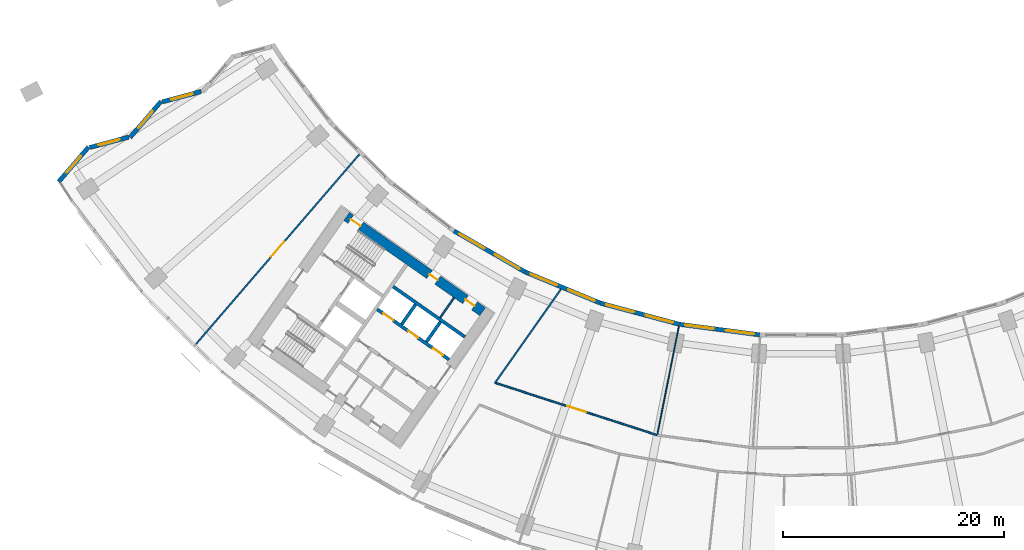
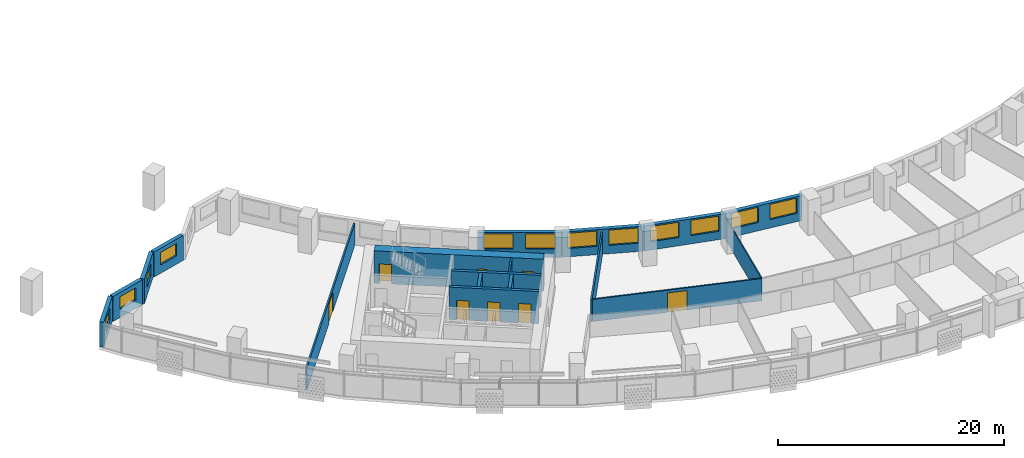
# One storey, part 4 of 31: 18 walls, 12 windows, 8 doors, 20 openings.
"""IFC4 building model written with IfcOpenShell, lengths in metres."""

from ifc_helpers import new_model, si_unit, direction, frame, frame_2d, origin, place, context, subcontext, project, spatial, rectangle, extrude, material, layer, layer_set, type_object, element, fill, save


model = new_model("IFC4")

# Units and contexts
model_context = context("Model", 3, precision=1e-05, world=origin(), true_north=direction((0.0, 1.0)))
body_context = subcontext(model_context, "Body", "Model", "MODEL_VIEW")
ifc_project = project(units=[si_unit("LENGTHUNIT", "METRE"), si_unit("AREAUNIT", "SQUARE_METRE"), si_unit("VOLUMEUNIT", "CUBIC_METRE"), si_unit("PLANEANGLEUNIT", "RADIAN"), si_unit("MASSUNIT", "GRAM", prefix="KILO")], contexts=[model_context])

# Site, building, storey
site_placement = place(None, origin())
site = spatial("IfcSite", under=ifc_project, at=site_placement, CompositionType="ELEMENT")
building_placement = place(site_placement, origin())
building = spatial("IfcBuilding", under=site, at=building_placement, Name="Qamariyya Broadcast Tower", CompositionType="ELEMENT")
storey_placement = place(building_placement, frame((0.0, 0.0, 51.89990234375)))
storey = spatial("IfcBuildingStorey", under=building, at=storey_placement, Name="L09", CompositionType="ELEMENT", Elevation=51.89990234375)

# Wall, openings, doors
ifc_material_1 = material(Name="Concrete C70/85", Category="concrete")
ifc_layer_1 = layer(ifc_material_1, 0.89990234375)
ifc_layer_set_1 = layer_set([ifc_layer_1], Name="Core wall 900 mm Concrete C70/85")
wall_type_1 = type_object("IfcWallType", Name="Core wall 900 mm Concrete C70/85", PredefinedType="SHEAR", material=ifc_layer_set_1)
wall_1_placement = place(storey_placement, frame((-28.8544921875, -54.32421875, 0.0), z_axis=(0.0, 0.0, 1.0), x_axis=(-0.819145767589, 0.573585400304, 0.0)))
wall_1 = element("IfcWall", 1, at=wall_1_placement, inside=storey, type_object=wall_type_1, Name="k-W-L09-WI", PredefinedType="SHEAR", context=body_context, shape_type="SweptSolid", body=[
    extrude(rectangle(XDim=15.04541015625, YDim=0.89990234375, at=frame_2d((7.522705078125, 0.0))), origin(), (0.0, 0.0, 1.0), 3.5),
])
opening_1_placement = place(wall_1_placement, frame((0.89990234375, 0.0, 0.0)))
opening_1 = element("IfcOpeningElement", 2, at=opening_1_placement, cuts=wall_1, Name="Opening KD7-W1", PredefinedType="OPENING", context=body_context, shape_type="SweptSolid", body=[
    extrude(rectangle(XDim=1.0, YDim=2.10009765625, at=frame_2d((0.5, 1.050048828125))), frame((0.0, 0.4599609375, 0.0), z_axis=(0.0, -1.0, 0.0), x_axis=(1.0, 0.0, 0.0)), (0.0, 0.0, 1.0), 0.919921875),
])
opening_2_placement = place(wall_1_placement, frame((4.97509765625, 0.0, 0.0)))
opening_2 = element("IfcOpeningElement", 3, at=opening_2_placement, cuts=wall_1, Name="Opening KD5-W1", PredefinedType="OPENING", context=body_context, shape_type="SweptSolid", body=[
    extrude(rectangle(XDim=0.89990234375, YDim=2.10009765625, at=frame_2d((0.449951171875, 1.050048828125))), frame((0.0, 0.4599609375, 0.0), z_axis=(0.0, -1.0, 0.0), x_axis=(1.0, 0.0, 0.0)), (0.0, 0.0, 1.0), 0.919921875),
])
opening_3_placement = place(wall_1_placement, frame((13.495361328125, 0.0, 0.0)))
opening_3 = element("IfcOpeningElement", 4, at=opening_3_placement, cuts=wall_1, Name="Opening KD1-W1", PredefinedType="OPENING", context=body_context, shape_type="SweptSolid", body=[
    extrude(rectangle(XDim=1.10009765625, YDim=2.10009765625, at=frame_2d((0.550048828125, 1.050048828125))), frame((0.0, 0.4599609375, 0.0), z_axis=(0.0, -1.0, 0.0), x_axis=(1.0, 0.0, 0.0)), (0.0, 0.0, 1.0), 0.919921875),
])
ifc_material_2 = material(Name="Steel fire-resisting door leaf", Category="steel")
door_type_1 = type_object("IfcDoorType", Name="Accessible toilet door KD7", OperationType="SINGLE_SWING_LEFT", PredefinedType="DOOR", material=ifc_material_2)
door_1_placement = place(opening_1_placement, origin())
door_1 = element("IfcDoor", 5, at=door_1_placement, inside=storey, type_object=door_type_1, Name="k-W-L09-WI-D8", OperationType="SINGLE_SWING_LEFT", OverallHeight=2.10009765625, OverallWidth=1.0, PredefinedType="DOOR", context=body_context, shape_type="SweptSolid", body=[
    extrude(rectangle(XDim=1.0, YDim=2.10009765625, at=frame_2d((0.5, 1.050048828125))), frame((0.0, 0.02490234375, 0.0), z_axis=(0.0, -1.0, 0.0), x_axis=(1.0, 0.0, 0.0)), (0.0, 0.0, 1.0), 0.050048828125),
])
fill(opening_1, door_1)
door_type_2 = type_object("IfcDoorType", Name="Stair door KD1", OperationType="SINGLE_SWING_LEFT", PredefinedType="DOOR", material=ifc_material_2)
door_2_placement = place(opening_3_placement, origin())
door_2 = element("IfcDoor", 6, at=door_2_placement, inside=storey, type_object=door_type_2, Name="k-W-L09-WI-D16", OperationType="SINGLE_SWING_RIGHT", OverallHeight=2.10009765625, OverallWidth=1.10009765625, PredefinedType="DOOR", context=body_context, shape_type="SweptSolid", body=[
    extrude(rectangle(XDim=1.10009765625, YDim=2.10009765625, at=frame_2d((0.550048828125, 1.050048828125))), frame((0.0, 0.02490234375, 0.0), z_axis=(0.0, -1.0, 0.0), x_axis=(1.0, 0.0, 0.0)), (0.0, 0.0, 1.0), 0.050048828125),
])
fill(opening_3, door_2)
door_type_3 = type_object("IfcDoorType", Name="Toilet door KD5", OperationType="SINGLE_SWING_LEFT", PredefinedType="DOOR", material=ifc_material_2)
door_3_placement = place(opening_2_placement, origin())
door_3 = element("IfcDoor", 7, at=door_3_placement, inside=storey, type_object=door_type_3, Name="k-W-L09-WI-D9", OperationType="SINGLE_SWING_RIGHT", OverallHeight=2.10009765625, OverallWidth=0.89990234375, PredefinedType="DOOR", context=body_context, shape_type="SweptSolid", body=[
    extrude(rectangle(XDim=0.89990234375, YDim=2.10009765625, at=frame_2d((0.449951171875, 1.050048828125))), frame((0.0, 0.02490234375, 0.0), z_axis=(0.0, -1.0, 0.0), x_axis=(1.0, 0.0, 0.0)), (0.0, 0.0, 1.0), 0.050048828125),
])
fill(opening_2, door_3)

# Wall, opening, door
ifc_material_3 = material(Name="Gypsum board partition")
ifc_layer_2 = layer(ifc_material_3, 0.14990234375)
ifc_layer_set_2 = layer_set([ifc_layer_2], Name="Corridor partition 150 EI 60")
wall_type_2 = type_object("IfcWallType", Name="Corridor partition 150 EI 60", PredefinedType="PARTITIONING", material=ifc_layer_set_2)
wall_2_placement = place(storey_placement, frame((-54.842041015625, -57.27685546875, 0.0), z_axis=(0.0, 0.0, 1.0), x_axis=(0.652471531746, 0.757813235739, 0.0)))
wall_2 = element("IfcWall", 8, at=wall_2_placement, inside=storey, type_object=wall_type_2, Name="Partition L09-001", PredefinedType="PARTITIONING", context=body_context, shape_type="SweptSolid", body=[
    extrude(rectangle(XDim=22.71484375, YDim=0.14990234375, at=frame_2d((11.357421875, 0.0))), origin(), (0.0, 0.0, 1.0), 2.400146484375),
])
opening_4_placement = place(wall_2_placement, frame((10.45751953125, 0.0, 0.0)))
opening_4 = element("IfcOpeningElement", 9, at=opening_4_placement, cuts=wall_2, Name="Opening L09-D13", PredefinedType="OPENING", context=body_context, shape_type="SweptSolid", body=[
    extrude(rectangle(XDim=1.800048828125, YDim=2.10009765625, at=frame_2d((0.89990234375, 1.050048828125))), frame((0.0, 0.0849609375, 0.0), z_axis=(0.0, -1.0, 0.0), x_axis=(1.0, 0.0, 0.0)), (0.0, 0.0, 1.0), 0.169921875),
])
ifc_material_4 = material(Name="Timber fire door leaf", Category="wood")
door_type_4 = type_object("IfcDoorType", Name="Double fire door 1800 x 2100 FD60", OperationType="NOTDEFINED", PredefinedType="DOOR", material=ifc_material_4)
door_4_placement = place(opening_4_placement, origin())
door_4 = element("IfcDoor", 10, at=door_4_placement, inside=storey, type_object=door_type_4, Name="Door L09-D13", OperationType="DOUBLE_DOOR_SINGLE_SWING", OverallHeight=2.10009765625, OverallWidth=1.800048828125, PredefinedType="DOOR", context=body_context, shape_type="SweptSolid", body=[
    extrude(rectangle(XDim=1.800048828125, YDim=2.10009765625, at=frame_2d((0.89990234375, 1.050048828125))), frame((0.0, 0.02490234375, 0.0), z_axis=(0.0, -1.0, 0.0), x_axis=(1.0, 0.0, 0.0)), (0.0, 0.0, 1.0), 0.050048828125),
])
fill(opening_4, door_4)

wall_3_placement = place(storey_placement, frame((-27.655517578125, -60.796875, 0.0), z_axis=(0.0, 0.0, 1.0), x_axis=(0.951666530015, -0.307133221338, 0.0)))
wall_3 = element("IfcWall", 11, at=wall_3_placement, inside=storey, type_object=wall_type_2, Name="Partition L09-004", PredefinedType="PARTITIONING", context=body_context, shape_type="SweptSolid", body=[
    extrude(rectangle(XDim=15.3662109375, YDim=0.14990234375, at=frame_2d((7.68310546875, 0.0))), origin(), (0.0, 0.0, 1.0), 2.400146484375),
])
opening_5_placement = place(wall_3_placement, frame((6.782958984375, 0.0, 0.0)))
opening_5 = element("IfcOpeningElement", 12, at=opening_5_placement, cuts=wall_3, Name="Opening L09-D07", PredefinedType="OPENING", context=body_context, shape_type="SweptSolid", body=[
    extrude(rectangle(XDim=1.800048828125, YDim=2.10009765625, at=frame_2d((0.89990234375, 1.050048828125))), frame((0.0, 0.0849609375, 0.0), z_axis=(0.0, -1.0, 0.0), x_axis=(1.0, 0.0, 0.0)), (0.0, 0.0, 1.0), 0.169921875),
])
door_5_placement = place(opening_5_placement, origin())
door_5 = element("IfcDoor", 13, at=door_5_placement, inside=storey, type_object=door_type_4, Name="Door L09-D07", OperationType="DOUBLE_DOOR_SINGLE_SWING", OverallHeight=2.10009765625, OverallWidth=1.800048828125, PredefinedType="DOOR", context=body_context, shape_type="SweptSolid", body=[
    extrude(rectangle(XDim=1.800048828125, YDim=2.10009765625, at=frame_2d((0.89990234375, 1.050048828125))), frame((0.0, 0.02490234375, 0.0), z_axis=(0.0, -1.0, 0.0), x_axis=(1.0, 0.0, 0.0)), (0.0, 0.0, 1.0), 0.050048828125),
])
fill(opening_5, door_5)

# Walls
wall_4_placement = place(storey_placement, frame((-21.748291015625, -52.2763671875, 0.0), z_axis=(0.0, 0.0, 1.0), x_axis=(-0.575419434668, -0.817858468322, 0.0)))
element("IfcWall", 14, at=wall_4_placement, inside=storey, type_object=wall_type_2, Name="Partition L09-007", PredefinedType="PARTITIONING", context=body_context, shape_type="SweptSolid", body=[
    extrude(rectangle(XDim=10.46484375, YDim=0.14990234375, at=frame_2d((5.232421875, 0.0))), origin(), (0.0, 0.0, 1.0), 2.400146484375),
])
ifc_material_5 = material(Name="Gypsum board partition on steel studs", Category="steel")
ifc_layer_3 = layer(ifc_material_5, 0.14990234375)
ifc_layer_set_3 = layer_set([ifc_layer_3], Name="Gypsum board partition 150 mm")
wall_type_3 = type_object("IfcWallType", Name="Gypsum board partition 150 mm", PredefinedType="PARTITIONING", material=ifc_layer_set_3)
wall_5_placement = place(storey_placement, frame((-32.709228515625, -54.860107421875, 0.0), z_axis=(0.0, 0.0, 1.0), x_axis=(0.573633636671, 0.819111989218, 0.0)))
element("IfcWall", 15, at=wall_5_placement, inside=storey, type_object=wall_type_3, Name="k-W-L09-NP285", PredefinedType="PARTITIONING", context=body_context, shape_type="SweptSolid", body=[
    extrude(rectangle(XDim=2.199951171875, YDim=0.14990234375, at=frame_2d((1.10009765625, 0.0))), origin(), (0.0, 0.0, 1.0), 3.5),
])

# Wall, openings, doors
ifc_material_6 = material(Name="Concrete C60/75", Category="concrete")
ifc_layer_4 = layer(ifc_material_6, 0.300048828125)
ifc_layer_set_4 = layer_set([ifc_layer_4], Name="Lift shaft wall 300 mm Concrete C60/75")
wall_type_4 = type_object("IfcWallType", Name="Lift shaft wall 300 mm Concrete C60/75", PredefinedType="SOLIDWALL", material=ifc_layer_set_4)
wall_6_placement = place(storey_placement, frame((-31.89453125, -58.66552734375, 0.0), z_axis=(0.0, 0.0, 1.0), x_axis=(-0.819166993208, 0.573555086491, 0.0)))
wall_6 = element("IfcWall", 16, at=wall_6_placement, inside=storey, type_object=wall_type_4, Name="k-W-L09-NF0", PredefinedType="SOLIDWALL", context=body_context, shape_type="SweptSolid", body=[
    extrude(rectangle(XDim=7.9501953125, YDim=0.300048828125, at=frame_2d((3.97509765625, 0.0))), origin(), (0.0, 0.0, 1.0), 3.5),
])
opening_6_placement = place(wall_6_placement, frame((0.675048828125, 0.0, 0.0)))
opening_6 = element("IfcOpeningElement", 17, at=opening_6_placement, cuts=wall_6, Name="Opening LD", PredefinedType="OPENING", context=body_context, shape_type="SweptSolid", body=[
    extrude(rectangle(XDim=1.10009765625, YDim=2.10009765625, at=frame_2d((0.550048828125, 1.050048828125))), frame((0.0, 0.159912109375, 0.0), z_axis=(0.0, -1.0, 0.0), x_axis=(1.0, 0.0, 0.0)), (0.0, 0.0, 1.0), 0.320068359375),
])
opening_7_placement = place(wall_6_placement, frame((3.425048828125, 0.0, 0.0)))
opening_7 = element("IfcOpeningElement", 18, at=opening_7_placement, cuts=wall_6, Name="Opening LD", PredefinedType="OPENING", context=body_context, shape_type="SweptSolid", body=[
    extrude(rectangle(XDim=1.10009765625, YDim=2.10009765625, at=frame_2d((0.550048828125, 1.050048828125))), frame((0.0, 0.159912109375, 0.0), z_axis=(0.0, -1.0, 0.0), x_axis=(1.0, 0.0, 0.0)), (0.0, 0.0, 1.0), 0.320068359375),
])
opening_8_placement = place(wall_6_placement, frame((6.175048828125, 0.0, 0.0)))
opening_8 = element("IfcOpeningElement", 19, at=opening_8_placement, cuts=wall_6, Name="Opening LD", PredefinedType="OPENING", context=body_context, shape_type="SweptSolid", body=[
    extrude(rectangle(XDim=1.10009765625, YDim=2.10009765625, at=frame_2d((0.550048828125, 1.050048828125))), frame((0.0, 0.159912109375, 0.0), z_axis=(0.0, -1.0, 0.0), x_axis=(1.0, 0.0, 0.0)), (0.0, 0.0, 1.0), 0.320068359375),
])
door_type_5 = type_object("IfcDoorType", Name="Lift landing door LD", OperationType="DOUBLE_DOOR_SLIDING", PredefinedType="DOOR", material=ifc_material_2)
door_6_placement = place(opening_6_placement, origin())
door_6 = element("IfcDoor", 20, at=door_6_placement, inside=storey, type_object=door_type_5, Name="k-W-L09-NF0-D2", OperationType="DOUBLE_DOOR_SLIDING", OverallHeight=2.10009765625, OverallWidth=1.10009765625, PredefinedType="DOOR", context=body_context, shape_type="SweptSolid", body=[
    extrude(rectangle(XDim=1.10009765625, YDim=2.10009765625, at=frame_2d((0.550048828125, 1.050048828125))), frame((0.0, 0.02490234375, 0.0), z_axis=(0.0, -1.0, 0.0), x_axis=(1.0, 0.0, 0.0)), (0.0, 0.0, 1.0), 0.050048828125),
])
fill(opening_6, door_6)
door_7_placement = place(opening_7_placement, origin())
door_7 = element("IfcDoor", 21, at=door_7_placement, inside=storey, type_object=door_type_5, Name="k-W-L09-NF0-D3", OperationType="DOUBLE_DOOR_SLIDING", OverallHeight=2.10009765625, OverallWidth=1.10009765625, PredefinedType="DOOR", context=body_context, shape_type="SweptSolid", body=[
    extrude(rectangle(XDim=1.10009765625, YDim=2.10009765625, at=frame_2d((0.550048828125, 1.050048828125))), frame((0.0, 0.02490234375, 0.0), z_axis=(0.0, -1.0, 0.0), x_axis=(1.0, 0.0, 0.0)), (0.0, 0.0, 1.0), 0.050048828125),
])
fill(opening_7, door_7)
door_8_placement = place(opening_8_placement, origin())
door_8 = element("IfcDoor", 22, at=door_8_placement, inside=storey, type_object=door_type_5, Name="k-W-L09-NF0-D4", OperationType="DOUBLE_DOOR_SLIDING", OverallHeight=2.10009765625, OverallWidth=1.10009765625, PredefinedType="DOOR", context=body_context, shape_type="SweptSolid", body=[
    extrude(rectangle(XDim=1.10009765625, YDim=2.10009765625, at=frame_2d((0.550048828125, 1.050048828125))), frame((0.0, 0.02490234375, 0.0), z_axis=(0.0, -1.0, 0.0), x_axis=(1.0, 0.0, 0.0)), (0.0, 0.0, 1.0), 0.050048828125),
])
fill(opening_8, door_8)

# Walls
wall_7_placement = place(storey_placement, frame((-30.460693359375, -56.61767578125, 0.0), z_axis=(0.0, 0.0, 1.0), x_axis=(-0.819142461705, 0.573590121456, 0.0)))
element("IfcWall", 23, at=wall_7_placement, inside=storey, type_object=wall_type_4, Name="k-W-L09-NB0", PredefinedType="SOLIDWALL", context=body_context, shape_type="SweptSolid", body=[
    extrude(rectangle(XDim=7.949951171875, YDim=0.300048828125, at=frame_2d((3.97509765625, 0.0))), origin(), (0.0, 0.0, 1.0), 3.5),
])
wall_8_placement = place(storey_placement, frame((-33.9384765625, -57.051513671875, 0.0), z_axis=(0.0, 0.0, 1.0), x_axis=(0.573581496053, 0.819148501424, 0.0)))
element("IfcWall", 24, at=wall_8_placement, inside=storey, type_object=wall_type_4, Name="k-W-L09-ND0", PredefinedType="SOLIDWALL", context=body_context, shape_type="SweptSolid", body=[
    extrude(rectangle(XDim=2.2001953125, YDim=0.300048828125, at=frame_2d((1.10009765625, 0.0))), origin(), (0.0, 0.0, 1.0), 3.5),
])
wall_9_placement = place(storey_placement, frame((-36.19091796875, -55.47412109375, 0.0), z_axis=(0.0, 0.0, 1.0), x_axis=(0.573507030513, 0.819200638399, 0.0)))
element("IfcWall", 25, at=wall_9_placement, inside=storey, type_object=wall_type_4, Name="k-W-L09-ND1", PredefinedType="SOLIDWALL", context=body_context, shape_type="SweptSolid", body=[
    extrude(rectangle(XDim=2.199951171875, YDim=0.300048828125, at=frame_2d((1.10009765625, 0.0))), origin(), (0.0, 0.0, 1.0), 3.5),
])
ifc_layer_5 = layer(ifc_material_3, 0.10009765625)
ifc_layer_set_5 = layer_set([ifc_layer_5], Name="Partition 100")
wall_type_5 = type_object("IfcWallType", Name="Partition 100", PredefinedType="PARTITIONING", material=ifc_layer_set_5)
wall_10_placement = place(storey_placement, frame((-11.0712890625, -55.65966796875, 0.0), z_axis=(0.0, 0.0, 1.0), x_axis=(-0.195094645032, -0.980784420492, 0.0)))
element("IfcWall", 26, at=wall_10_placement, inside=storey, type_object=wall_type_5, Name="Partition L09-011", PredefinedType="PARTITIONING", context=body_context, shape_type="SweptSolid", body=[
    extrude(rectangle(XDim=9.974853515625, YDim=0.10009765625, at=frame_2d((4.9873046875, 0.0))), origin(), (0.0, 0.0, 1.0), 2.400146484375),
])

# Wall, opening, window
ifc_material_7 = material(Name="Terracotta", Category="masonry")
ifc_layer_6 = layer(ifc_material_7, 0.39990234375)
ifc_layer_set_6 = layer_set([ifc_layer_6], Name="Terracotta clad wall 400")
wall_type_6 = type_object("IfcWallType", Name="Terracotta clad wall 400", PredefinedType="SOLIDWALL", material=ifc_layer_set_6)
wall_11_placement = place(storey_placement, frame((-54.357666015625, -34.368408203125, 0.0), z_axis=(0.0, 0.0, 1.0), x_axis=(-0.966123763906, -0.258079198727, 0.0)))
wall_11 = element("IfcWall", 27, at=wall_11_placement, inside=storey, type_object=wall_type_6, Name="e-wl-L09-capW2", PredefinedType="SOLIDWALL", context=body_context, shape_type="SweptSolid", body=[
    extrude(rectangle(XDim=3.647705078125, YDim=0.39990234375, at=frame_2d((1.82373046875, 0.0))), origin(), (0.0, 0.0, 1.0), 2.7001953125),
])
opening_9_placement = place(wall_11_placement, frame((0.82373046875, 0.0, 0.89990234375)))
opening_9 = element("IfcOpeningElement", 28, at=opening_9_placement, cuts=wall_11, Name="Opening W4", PredefinedType="OPENING", context=body_context, shape_type="SweptSolid", body=[
    extrude(rectangle(XDim=2.0, YDim=1.35009765625, at=frame_2d((1.0, 0.675048828125))), frame((0.0, 0.2099609375, 0.0), z_axis=(0.0, -1.0, 0.0), x_axis=(1.0, 0.0, 0.0)), (0.0, 0.0, 1.0), 0.419921875),
])
ifc_material_8 = material(Name="Clear low-e double glazed unit in aluminium frame", Category="aluminium")
window_type_1 = type_object("IfcWindowType", Name="Horn bay window 2000 x 1350", PartitioningType="SINGLE_PANEL", PredefinedType="WINDOW", material=ifc_material_8)
window_1_placement = place(opening_9_placement, origin())
window_1 = element("IfcWindow", 29, at=window_1_placement, inside=storey, type_object=window_type_1, Name="e-w-L09-capW2", OverallHeight=1.35009765625, OverallWidth=2.0, PartitioningType="SINGLE_PANEL", PredefinedType="WINDOW", context=body_context, shape_type="SweptSolid", body=[
    extrude(rectangle(XDim=2.0, YDim=1.35009765625, at=frame_2d((1.0, 0.675048828125))), frame((0.0, 0.030029296875, 0.0), z_axis=(0.0, -1.0, 0.0), x_axis=(1.0, 0.0, 0.0)), (0.0, 0.0, 1.0), 0.06005859375),
])
fill(opening_9, window_1)

wall_12_placement = place(storey_placement, frame((-58.00634765625, -35.27880859375, 0.0), z_axis=(0.0, 0.0, 1.0), x_axis=(-0.652138603414, -0.758099757246, 0.0)))
wall_12 = element("IfcWall", 30, at=wall_12_placement, inside=storey, type_object=wall_type_6, Name="e-wl-L09-capW3", PredefinedType="SOLIDWALL", context=body_context, shape_type="SweptSolid", body=[
    extrude(rectangle(XDim=4.294677734375, YDim=0.39990234375, at=frame_2d((2.1474609375, 0.0))), origin(), (0.0, 0.0, 1.0), 2.7001953125),
])
opening_10_placement = place(wall_12_placement, frame((1.147216796875, 0.0, 0.89990234375)))
opening_10 = element("IfcOpeningElement", 31, at=opening_10_placement, cuts=wall_12, Name="Opening W4", PredefinedType="OPENING", context=body_context, shape_type="SweptSolid", body=[
    extrude(rectangle(XDim=2.0, YDim=1.35009765625, at=frame_2d((1.0, 0.675048828125))), frame((0.0, 0.2099609375, 0.0), z_axis=(0.0, -1.0, 0.0), x_axis=(1.0, 0.0, 0.0)), (0.0, 0.0, 1.0), 0.419921875),
])
window_2_placement = place(opening_10_placement, origin())
window_2 = element("IfcWindow", 32, at=window_2_placement, inside=storey, type_object=window_type_1, Name="e-w-L09-capW3", OverallHeight=1.35009765625, OverallWidth=2.0, PartitioningType="SINGLE_PANEL", PredefinedType="WINDOW", context=body_context, shape_type="SweptSolid", body=[
    extrude(rectangle(XDim=2.0, YDim=1.35009765625, at=frame_2d((1.0, 0.675048828125))), frame((0.0, 0.030029296875, 0.0), z_axis=(0.0, -1.0, 0.0), x_axis=(1.0, 0.0, 0.0)), (0.0, 0.0, 1.0), 0.06005859375),
])
fill(opening_10, window_2)

wall_13_placement = place(storey_placement, frame((-60.931884765625, -38.503662109375, 0.0), z_axis=(0.0, 0.0, 1.0), x_axis=(-0.966103763215, -0.258154060014, 0.0)))
wall_13 = element("IfcWall", 33, at=wall_13_placement, inside=storey, type_object=wall_type_6, Name="e-wl-L09-capW4", PredefinedType="SOLIDWALL", context=body_context, shape_type="SweptSolid", body=[
    extrude(rectangle(XDim=3.648681640625, YDim=0.39990234375, at=frame_2d((1.82421875, 0.0))), origin(), (0.0, 0.0, 1.0), 2.7001953125),
])
opening_11_placement = place(wall_13_placement, frame((0.824462890625, 0.0, 0.89990234375)))
opening_11 = element("IfcOpeningElement", 34, at=opening_11_placement, cuts=wall_13, Name="Opening W4", PredefinedType="OPENING", context=body_context, shape_type="SweptSolid", body=[
    extrude(rectangle(XDim=2.0, YDim=1.35009765625, at=frame_2d((1.0, 0.675048828125))), frame((0.0, 0.2099609375, 0.0), z_axis=(0.0, -1.0, 0.0), x_axis=(1.0, 0.0, 0.0)), (0.0, 0.0, 1.0), 0.419921875),
])
window_3_placement = place(opening_11_placement, origin())
window_3 = element("IfcWindow", 35, at=window_3_placement, inside=storey, type_object=window_type_1, Name="e-w-L09-capW4", OverallHeight=1.35009765625, OverallWidth=2.0, PartitioningType="SINGLE_PANEL", PredefinedType="WINDOW", context=body_context, shape_type="SweptSolid", body=[
    extrude(rectangle(XDim=2.0, YDim=1.35009765625, at=frame_2d((1.0, 0.675048828125))), frame((0.0, 0.030029296875, 0.0), z_axis=(0.0, -1.0, 0.0), x_axis=(1.0, 0.0, 0.0)), (0.0, 0.0, 1.0), 0.06005859375),
])
fill(opening_11, window_3)

wall_14_placement = place(storey_placement, frame((-64.58154296875, -39.414794921875, 0.0), z_axis=(0.0, 0.0, 1.0), x_axis=(-0.652073316763, -0.758155913758, 0.0)))
wall_14 = element("IfcWall", 36, at=wall_14_placement, inside=storey, type_object=wall_type_6, Name="e-wl-L09-capW5", PredefinedType="SOLIDWALL", context=body_context, shape_type="SweptSolid", body=[
    extrude(rectangle(XDim=4.121826171875, YDim=0.39990234375, at=frame_2d((2.06103515625, 0.0))), origin(), (0.0, 0.0, 1.0), 2.7001953125),
])
opening_12_placement = place(wall_14_placement, frame((1.060791015625, 0.0, 0.89990234375)))
opening_12 = element("IfcOpeningElement", 37, at=opening_12_placement, cuts=wall_14, Name="Opening W4", PredefinedType="OPENING", context=body_context, shape_type="SweptSolid", body=[
    extrude(rectangle(XDim=2.0, YDim=1.35009765625, at=frame_2d((1.0, 0.675048828125))), frame((0.0, 0.2099609375, 0.0), z_axis=(0.0, -1.0, 0.0), x_axis=(1.0, 0.0, 0.0)), (0.0, 0.0, 1.0), 0.419921875),
])
window_4_placement = place(opening_12_placement, origin())
window_4 = element("IfcWindow", 38, at=window_4_placement, inside=storey, type_object=window_type_1, Name="e-w-L09-capW5", OverallHeight=1.35009765625, OverallWidth=2.0, PartitioningType="SINGLE_PANEL", PredefinedType="WINDOW", context=body_context, shape_type="SweptSolid", body=[
    extrude(rectangle(XDim=2.0, YDim=1.35009765625, at=frame_2d((1.0, 0.675048828125))), frame((0.0, 0.030029296875, 0.0), z_axis=(0.0, -1.0, 0.0), x_axis=(1.0, 0.0, 0.0)), (0.0, 0.0, 1.0), 0.06005859375),
])
fill(opening_12, window_4)

# Wall, openings, windows
wall_15_placement = place(storey_placement, frame((-24.989990234375, -50.73095703125, 0.0), z_axis=(0.0, 0.0, 1.0), x_axis=(-0.866037641005, 0.499978803913, 0.0)))
wall_15 = element("IfcWall", 39, at=wall_15_placement, inside=storey, type_object=wall_type_6, Name="e-wl-L09-in40", PredefinedType="SOLIDWALL", context=body_context, shape_type="SweptSolid", body=[
    extrude(rectangle(XDim=7.447021484375, YDim=0.39990234375, at=frame_2d((3.7236328125, 0.0))), origin(), (0.0, 0.0, 1.0), 2.7001953125),
])
opening_13_placement = place(wall_15_placement, frame((4.266357421875, 0.0, 0.89990234375)))
opening_13 = element("IfcOpeningElement", 40, at=opening_13_placement, cuts=wall_15, Name="Opening W1", PredefinedType="OPENING", context=body_context, shape_type="SweptSolid", body=[
    extrude(rectangle(XDim=2.60009765625, YDim=1.64990234375, at=frame_2d((1.300048828125, 0.824951171875))), frame((0.0, 0.2099609375, 0.0), z_axis=(0.0, -1.0, 0.0), x_axis=(1.0, 0.0, 0.0)), (0.0, 0.0, 1.0), 0.419921875),
])
opening_14_placement = place(wall_15_placement, frame((0.580810546875, 0.0, 0.89990234375)))
opening_14 = element("IfcOpeningElement", 41, at=opening_14_placement, cuts=wall_15, Name="Opening W1", PredefinedType="OPENING", context=body_context, shape_type="SweptSolid", body=[
    extrude(rectangle(XDim=2.60009765625, YDim=1.64990234375, at=frame_2d((1.300048828125, 0.824951171875))), frame((0.0, 0.2099609375, 0.0), z_axis=(0.0, -1.0, 0.0), x_axis=(1.0, 0.0, 0.0)), (0.0, 0.0, 1.0), 0.419921875),
])
window_type_2 = type_object("IfcWindowType", Name="Ribbon window 2600 x 1650", PartitioningType="SINGLE_PANEL", PredefinedType="WINDOW", material=ifc_material_8)
window_5_placement = place(opening_13_placement, origin())
window_5 = element("IfcWindow", 42, at=window_5_placement, inside=storey, type_object=window_type_2, Name="e-w-L09-in04-0", OverallHeight=1.64990234375, OverallWidth=2.60009765625, PartitioningType="SINGLE_PANEL", PredefinedType="WINDOW", context=body_context, shape_type="SweptSolid", body=[
    extrude(rectangle(XDim=2.60009765625, YDim=1.64990234375, at=frame_2d((1.300048828125, 0.824951171875))), frame((0.0, 0.030029296875, 0.0), z_axis=(0.0, -1.0, 0.0), x_axis=(1.0, 0.0, 0.0)), (0.0, 0.0, 1.0), 0.06005859375),
])
fill(opening_13, window_5)
window_6_placement = place(opening_14_placement, origin())
window_6 = element("IfcWindow", 43, at=window_6_placement, inside=storey, type_object=window_type_2, Name="e-w-L09-in04-1", OverallHeight=1.64990234375, OverallWidth=2.60009765625, PartitioningType="SINGLE_PANEL", PredefinedType="WINDOW", context=body_context, shape_type="SweptSolid", body=[
    extrude(rectangle(XDim=2.60009765625, YDim=1.64990234375, at=frame_2d((1.300048828125, 0.824951171875))), frame((0.0, 0.030029296875, 0.0), z_axis=(0.0, -1.0, 0.0), x_axis=(1.0, 0.0, 0.0)), (0.0, 0.0, 1.0), 0.06005859375),
])
fill(opening_14, window_6)

wall_16_placement = place(storey_placement, frame((-18.224365234375, -53.52978515625, 0.0), z_axis=(0.0, 0.0, 1.0), x_axis=(-0.923891626322, 0.382654234018, 0.0)))
wall_16 = element("IfcWall", 44, at=wall_16_placement, inside=storey, type_object=wall_type_6, Name="e-wl-L09-in50", PredefinedType="SOLIDWALL", context=body_context, shape_type="SweptSolid", body=[
    extrude(rectangle(XDim=7.295654296875, YDim=0.39990234375, at=frame_2d((3.64794921875, 0.0))), origin(), (0.0, 0.0, 1.0), 2.7001953125),
])
opening_15_placement = place(wall_16_placement, frame((4.190673828125, 0.0, 0.89990234375)))
opening_15 = element("IfcOpeningElement", 45, at=opening_15_placement, cuts=wall_16, Name="Opening W1", PredefinedType="OPENING", context=body_context, shape_type="SweptSolid", body=[
    extrude(rectangle(XDim=2.60009765625, YDim=1.64990234375, at=frame_2d((1.300048828125, 0.824951171875))), frame((0.0, 0.2099609375, 0.0), z_axis=(0.0, -1.0, 0.0), x_axis=(1.0, 0.0, 0.0)), (0.0, 0.0, 1.0), 0.419921875),
])
opening_16_placement = place(wall_16_placement, frame((0.505126953125, 0.0, 0.89990234375)))
opening_16 = element("IfcOpeningElement", 46, at=opening_16_placement, cuts=wall_16, Name="Opening W1", PredefinedType="OPENING", context=body_context, shape_type="SweptSolid", body=[
    extrude(rectangle(XDim=2.60009765625, YDim=1.64990234375, at=frame_2d((1.300048828125, 0.824951171875))), frame((0.0, 0.2099609375, 0.0), z_axis=(0.0, -1.0, 0.0), x_axis=(1.0, 0.0, 0.0)), (0.0, 0.0, 1.0), 0.419921875),
])
window_7_placement = place(opening_15_placement, origin())
window_7 = element("IfcWindow", 47, at=window_7_placement, inside=storey, type_object=window_type_2, Name="e-w-L09-in05-0", OverallHeight=1.64990234375, OverallWidth=2.60009765625, PartitioningType="SINGLE_PANEL", PredefinedType="WINDOW", context=body_context, shape_type="SweptSolid", body=[
    extrude(rectangle(XDim=2.60009765625, YDim=1.64990234375, at=frame_2d((1.300048828125, 0.824951171875))), frame((0.0, 0.030029296875, 0.0), z_axis=(0.0, -1.0, 0.0), x_axis=(1.0, 0.0, 0.0)), (0.0, 0.0, 1.0), 0.06005859375),
])
fill(opening_15, window_7)
window_8_placement = place(opening_16_placement, origin())
window_8 = element("IfcWindow", 48, at=window_8_placement, inside=storey, type_object=window_type_2, Name="e-w-L09-in05-1", OverallHeight=1.64990234375, OverallWidth=2.60009765625, PartitioningType="SINGLE_PANEL", PredefinedType="WINDOW", context=body_context, shape_type="SweptSolid", body=[
    extrude(rectangle(XDim=2.60009765625, YDim=1.64990234375, at=frame_2d((1.300048828125, 0.824951171875))), frame((0.0, 0.030029296875, 0.0), z_axis=(0.0, -1.0, 0.0), x_axis=(1.0, 0.0, 0.0)), (0.0, 0.0, 1.0), 0.06005859375),
])
fill(opening_16, window_8)

wall_17_placement = place(storey_placement, frame((-11.00830078125, -55.47021484375, 0.0), z_axis=(0.0, 0.0, 1.0), x_axis=(-0.965924637935, 0.25882348006, 0.0)))
wall_17 = element("IfcWall", 49, at=wall_17_placement, inside=storey, type_object=wall_type_6, Name="e-wl-L09-in60", PredefinedType="SOLIDWALL", context=body_context, shape_type="SweptSolid", body=[
    extrude(rectangle(XDim=7.447021484375, YDim=0.39990234375, at=frame_2d((3.7236328125, 0.0))), origin(), (0.0, 0.0, 1.0), 2.7001953125),
])
opening_17_placement = place(wall_17_placement, frame((4.266357421875, 0.0, 0.89990234375)))
opening_17 = element("IfcOpeningElement", 50, at=opening_17_placement, cuts=wall_17, Name="Opening W1", PredefinedType="OPENING", context=body_context, shape_type="SweptSolid", body=[
    extrude(rectangle(XDim=2.60009765625, YDim=1.64990234375, at=frame_2d((1.300048828125, 0.824951171875))), frame((0.0, 0.2099609375, 0.0), z_axis=(0.0, -1.0, 0.0), x_axis=(1.0, 0.0, 0.0)), (0.0, 0.0, 1.0), 0.419921875),
])
opening_18_placement = place(wall_17_placement, frame((0.580810546875, 0.0, 0.89990234375)))
opening_18 = element("IfcOpeningElement", 51, at=opening_18_placement, cuts=wall_17, Name="Opening W1", PredefinedType="OPENING", context=body_context, shape_type="SweptSolid", body=[
    extrude(rectangle(XDim=2.60009765625, YDim=1.64990234375, at=frame_2d((1.300048828125, 0.824951171875))), frame((0.0, 0.2099609375, 0.0), z_axis=(0.0, -1.0, 0.0), x_axis=(1.0, 0.0, 0.0)), (0.0, 0.0, 1.0), 0.419921875),
])
window_9_placement = place(opening_17_placement, origin())
window_9 = element("IfcWindow", 52, at=window_9_placement, inside=storey, type_object=window_type_2, Name="e-w-L09-in06-0", OverallHeight=1.64990234375, OverallWidth=2.60009765625, PartitioningType="SINGLE_PANEL", PredefinedType="WINDOW", context=body_context, shape_type="SweptSolid", body=[
    extrude(rectangle(XDim=2.60009765625, YDim=1.64990234375, at=frame_2d((1.300048828125, 0.824951171875))), frame((0.0, 0.030029296875, 0.0), z_axis=(0.0, -1.0, 0.0), x_axis=(1.0, 0.0, 0.0)), (0.0, 0.0, 1.0), 0.06005859375),
])
fill(opening_17, window_9)
window_10_placement = place(opening_18_placement, origin())
window_10 = element("IfcWindow", 53, at=window_10_placement, inside=storey, type_object=window_type_2, Name="e-w-L09-in06-1", OverallHeight=1.64990234375, OverallWidth=2.60009765625, PartitioningType="SINGLE_PANEL", PredefinedType="WINDOW", context=body_context, shape_type="SweptSolid", body=[
    extrude(rectangle(XDim=2.60009765625, YDim=1.64990234375, at=frame_2d((1.300048828125, 0.824951171875))), frame((0.0, 0.030029296875, 0.0), z_axis=(0.0, -1.0, 0.0), x_axis=(1.0, 0.0, 0.0)), (0.0, 0.0, 1.0), 0.06005859375),
])
fill(opening_18, window_10)

wall_18_placement = place(storey_placement, frame((-3.748779296875, -56.422607421875, 0.0), z_axis=(0.0, 0.0, 1.0), x_axis=(-0.99144746031, 0.130506449818, 0.0)))
wall_18 = element("IfcWall", 54, at=wall_18_placement, inside=storey, type_object=wall_type_6, Name="e-wl-L09-in70", PredefinedType="SOLIDWALL", context=body_context, shape_type="SweptSolid", body=[
    extrude(rectangle(XDim=7.2958984375, YDim=0.39990234375, at=frame_2d((3.64794921875, 0.0))), origin(), (0.0, 0.0, 1.0), 2.7001953125),
])
opening_19_placement = place(wall_18_placement, frame((4.190673828125, 0.0, 0.89990234375)))
opening_19 = element("IfcOpeningElement", 55, at=opening_19_placement, cuts=wall_18, Name="Opening W1", PredefinedType="OPENING", context=body_context, shape_type="SweptSolid", body=[
    extrude(rectangle(XDim=2.60009765625, YDim=1.64990234375, at=frame_2d((1.300048828125, 0.824951171875))), frame((0.0, 0.2099609375, 0.0), z_axis=(0.0, -1.0, 0.0), x_axis=(1.0, 0.0, 0.0)), (0.0, 0.0, 1.0), 0.419921875),
])
opening_20_placement = place(wall_18_placement, frame((0.505126953125, 0.0, 0.89990234375)))
opening_20 = element("IfcOpeningElement", 56, at=opening_20_placement, cuts=wall_18, Name="Opening W1", PredefinedType="OPENING", context=body_context, shape_type="SweptSolid", body=[
    extrude(rectangle(XDim=2.60009765625, YDim=1.64990234375, at=frame_2d((1.300048828125, 0.824951171875))), frame((0.0, 0.2099609375, 0.0), z_axis=(0.0, -1.0, 0.0), x_axis=(1.0, 0.0, 0.0)), (0.0, 0.0, 1.0), 0.419921875),
])
window_11_placement = place(opening_19_placement, origin())
window_11 = element("IfcWindow", 57, at=window_11_placement, inside=storey, type_object=window_type_2, Name="e-w-L09-in07-0", OverallHeight=1.64990234375, OverallWidth=2.60009765625, PartitioningType="SINGLE_PANEL", PredefinedType="WINDOW", context=body_context, shape_type="SweptSolid", body=[
    extrude(rectangle(XDim=2.60009765625, YDim=1.64990234375, at=frame_2d((1.300048828125, 0.824951171875))), frame((0.0, 0.030029296875, 0.0), z_axis=(0.0, -1.0, 0.0), x_axis=(1.0, 0.0, 0.0)), (0.0, 0.0, 1.0), 0.06005859375),
])
fill(opening_19, window_11)
window_12_placement = place(opening_20_placement, origin())
window_12 = element("IfcWindow", 58, at=window_12_placement, inside=storey, type_object=window_type_2, Name="e-w-L09-in07-1", OverallHeight=1.64990234375, OverallWidth=2.60009765625, PartitioningType="SINGLE_PANEL", PredefinedType="WINDOW", context=body_context, shape_type="SweptSolid", body=[
    extrude(rectangle(XDim=2.60009765625, YDim=1.64990234375, at=frame_2d((1.300048828125, 0.824951171875))), frame((0.0, 0.030029296875, 0.0), z_axis=(0.0, -1.0, 0.0), x_axis=(1.0, 0.0, 0.0)), (0.0, 0.0, 1.0), 0.06005859375),
])
fill(opening_20, window_12)

save(model, "model.ifc")
